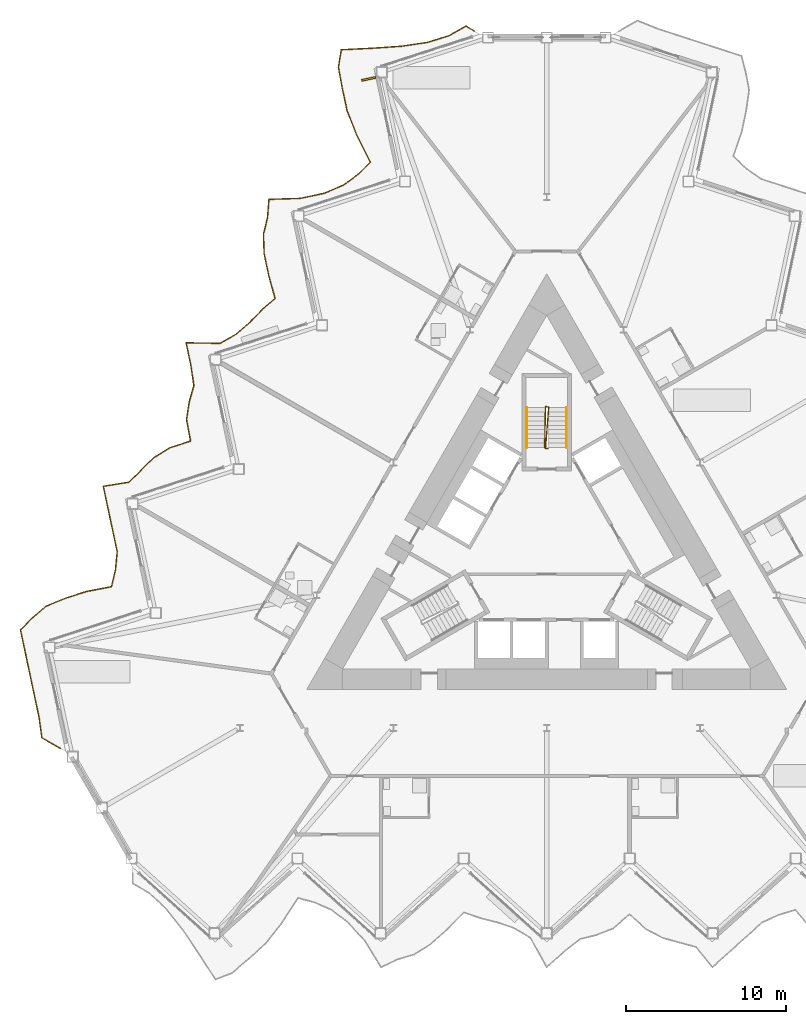
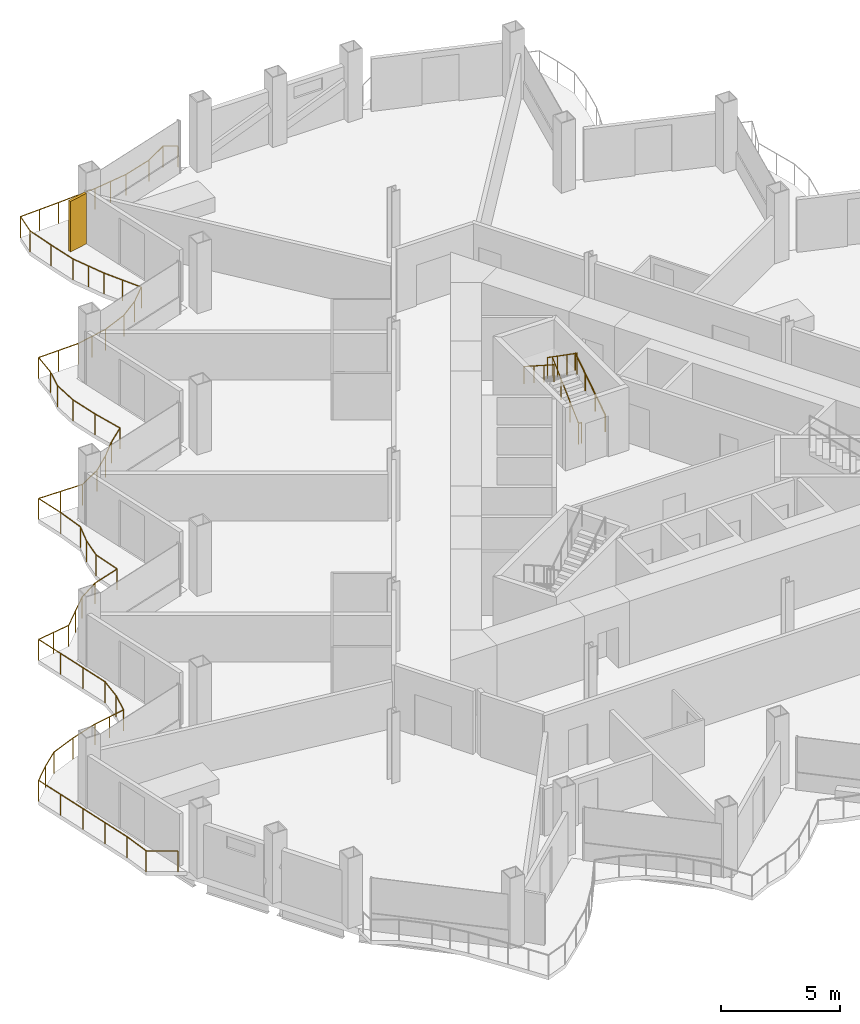
# One storey, part 20 of 23: 4 railings, 1 shading device.
"""IFC4 building model written with IfcOpenShell, lengths in metres."""

import ifcopenshell
import ifcopenshell.guid

model = None  # the IFC model being written
_history = None  # IfcOwnerHistory: only IFC2X3 demands one
_inside = {}  # id of a spatial element -> (the spatial element, [elements in it])
_under = {}  # id of a project, library or spatial element -> (it, [spatial elements below it])
_declared = {}  # id of a project -> (the project, [libraries it declares])
_typed = {}  # id of a type object -> (the type object, [elements of that type])
_made_of = {}  # id of a material, layer set ... -> (it, [elements and type objects made of it])


def new_model(schema):
    """Start an empty IFC model of exactly this schema.

    Asked for "IFC4X3", IfcOpenShell would pick the latest addendum, in which some entities
    have other attributes; the version numbers below select the first issue.
    IFC2X3 requires an IfcOwnerHistory on every rooted entity: one is made here for all.
    """
    global model, _history
    if schema == "IFC4X3":
        model = ifcopenshell.file(schema_version=(4, 3, 0, 0))
    else:
        model = ifcopenshell.file(schema=schema)
    _inside.clear()
    _under.clear()
    _declared.clear()
    _typed.clear()
    _made_of.clear()
    _history = None
    if model.schema == "IFC2X3":
        org = make("IfcOrganization", Name="unknown")
        user = make(
            "IfcPersonAndOrganization",
            ThePerson=make("IfcPerson", FamilyName="unknown"),
            TheOrganization=org,
        )
        app = make(
            "IfcApplication",
            ApplicationDeveloper=org,
            Version="unknown",
            ApplicationFullName="unknown",
            ApplicationIdentifier="unknown",
        )
        _history = make(
            "IfcOwnerHistory",
            OwningUser=user,
            OwningApplication=app,
            ChangeAction="ADDED",
            CreationDate=0,
        )
    return model


def make(cls, **values):
    """One entity of the class cls with the attributes given. An attribute that is None is left unset."""
    return model.create_entity(
        cls, **{name: value for name, value in values.items() if value is not None}
    )


def rooted(cls, **values):
    """An entity with a GlobalId (a new one), such as an element, a storey or a relation."""
    return make(cls, GlobalId=ifcopenshell.guid.new(), OwnerHistory=_history, **values)


def si_unit(unit_type, name, prefix=None):
    """IfcSIUnit, for example si_unit("LENGTHUNIT", "METRE", prefix="MILLI")."""
    return make("IfcSIUnit", UnitType=unit_type, Prefix=prefix, Name=name)


def assignment(units):
    """IfcUnitAssignment: the units of a project."""
    return None if units is None else make("IfcUnitAssignment", Units=units)


def point(xyz):
    """IfcCartesianPoint."""
    return None if xyz is None else make("IfcCartesianPoint", Coordinates=xyz)


def direction(xyz):
    """IfcDirection."""
    return None if xyz is None else make("IfcDirection", DirectionRatios=xyz)


def frame(location, z_axis=None, x_axis=None):
    """IfcAxis2Placement3D, a coordinate frame: its origin and axes. An axis left out is left unset."""
    return make(
        "IfcAxis2Placement3D",
        Location=point(location),
        Axis=direction(z_axis),
        RefDirection=direction(x_axis),
    )


def frame_2d(location, x_axis=None):
    """IfcAxis2Placement2D, a coordinate frame in the plane: its origin and x axis."""
    return make(
        "IfcAxis2Placement2D", Location=point(location), RefDirection=direction(x_axis)
    )


def origin():
    """The frame at (0, 0, 0) with its axes left unset."""
    return frame((0.0, 0.0, 0.0))


def origin_2d():
    """The frame at (0, 0) in the plane with its x axis left unset."""
    return frame_2d((0.0, 0.0))


def place(relative_to, where):
    """IfcLocalPlacement: puts the frame where relative to a parent placement (None: the world)."""
    return make(
        "IfcLocalPlacement", PlacementRelTo=relative_to, RelativePlacement=where
    )


def context(
    kind, dimensions, precision=None, world=None, true_north=None, identifier=None
):
    """IfcGeometricRepresentationContext, for example the 3D "Model" context."""
    return make(
        "IfcGeometricRepresentationContext",
        ContextIdentifier=identifier,
        ContextType=kind,
        CoordinateSpaceDimension=dimensions,
        Precision=precision,
        WorldCoordinateSystem=world,
        TrueNorth=true_north,
    )


def subcontext(parent, identifier, kind, view, scale=None):
    """IfcGeometricRepresentationSubContext, for example "Body" below "Model"."""
    return make(
        "IfcGeometricRepresentationSubContext",
        ContextIdentifier=identifier,
        ContextType=kind,
        ParentContext=parent,
        TargetScale=scale,
        TargetView=view,
    )


def project(units=None, contexts=None):
    """IfcProject with its units and contexts."""
    return rooted(
        "IfcProject",
        Name="project",
        RepresentationContexts=contexts,
        UnitsInContext=assignment(units),
    )


def spatial(cls, under=None, at=None, **own):
    """A site, building, storey or space (cls), placed at a placement, below another one or the project."""
    s = rooted(cls, ObjectPlacement=at, **own)
    if under is not None:
        _under.setdefault(under.id(), (under, []))[1].append(s)
    return s


def profile(cls, at=None, kind="AREA", **sizes):
    """A parametric profile (cls). Its sizes go by their IFC names, for example OverallWidth=200.0."""
    return make(cls, ProfileType=kind, Position=at, **sizes)


def rectangle(**sizes):
    """IfcRectangleProfileDef."""
    return profile("IfcRectangleProfileDef", **sizes)


def circle(**sizes):
    """IfcCircleProfileDef."""
    return profile("IfcCircleProfileDef", **sizes)


def extrude(swept, where, along, depth):
    """IfcExtrudedAreaSolid: the profile swept, set in the frame where, extruded along a direction by depth."""
    return make(
        "IfcExtrudedAreaSolid",
        SweptArea=swept,
        Position=where,
        ExtrudedDirection=direction(along),
        Depth=depth,
    )


def shape(context_of_items, identifier, shape_type, items):
    """IfcShapeRepresentation: the items that make up one representation, for example the "Body"."""
    return make(
        "IfcShapeRepresentation",
        ContextOfItems=context_of_items,
        RepresentationIdentifier=identifier,
        RepresentationType=shape_type,
        Items=items,
    )


def material(Name=None, Category=None):
    """IfcMaterial."""
    return make("IfcMaterial", Name=Name, Category=Category)


def layer(
    of_material, thickness, ventilated=None, Name=None, Category=None, Priority=None
):
    """IfcMaterialLayer: one layer of a wall or slab, of a material (None: an air gap)."""
    return make(
        "IfcMaterialLayer",
        Material=of_material,
        LayerThickness=thickness,
        IsVentilated=ventilated,
        Name=Name,
        Category=Category,
        Priority=Priority,
    )


def layer_set(layers, Name=None):
    """IfcMaterialLayerSet."""
    return make("IfcMaterialLayerSet", MaterialLayers=layers, LayerSetName=Name)


def made_of(thing, what):
    """Note that an element or type object is made of a material, layer set ...; save() writes the relation."""
    if what is not None:
        _made_of.setdefault(what.id(), (what, []))[1].append(thing)
    return thing


def type_object(cls, material=None, **own):
    """A type object (cls), such as IfcWallType, which elements share."""
    return made_of(rooted(cls, **own), material)


def element(
    cls,
    number,
    at=None,
    inside=None,
    cuts=None,
    type_object=None,
    material=None,
    context=None,
    identifier="Body",
    shape_type=None,
    held_by="IfcProductDefinitionShape",
    body=None,
    shapes=None,
    **own,
):
    """One element of the class cls, such as IfcWall. Its Tag is "e" and its number.

    at: its placement. inside: the storey or other place that contains it. cuts: it is an
    opening in that element (IfcRelVoidsElement). A single representation is given by context,
    identifier, shape_type and body (its items); several are given by shapes. held_by: the class
    of the entity that holds the representations. save() writes the other relations.
    """
    e = rooted(cls, Tag="e%d" % number, ObjectPlacement=at, **own)
    if body is not None:
        shapes = [shape(context, identifier, shape_type, body)]
    if shapes is not None:
        e.Representation = make(held_by, Representations=shapes)
    if inside is not None:
        _inside.setdefault(inside.id(), (inside, []))[1].append(e)
    if cuts is not None:
        rooted(
            "IfcRelVoidsElement", RelatingBuildingElement=cuts, RelatedOpeningElement=e
        )
    if type_object is not None:
        _typed.setdefault(type_object.id(), (type_object, []))[1].append(e)
    return made_of(e, material)


def aggregate(whole, parts):
    """IfcRelAggregates: a whole, such as a stair, and the parts it consists of."""
    return rooted("IfcRelAggregates", RelatingObject=whole, RelatedObjects=parts)


def save(model, path):
    """Write the relations noted so far, then the file.

    IfcRelAggregates (storeys below a building ...), IfcRelContainedInSpatialStructure (elements
    in a storey), IfcRelDefinesByType, IfcRelAssociatesMaterial and IfcRelDeclares: one each for
    every whole, place, type object, material and project.
    """
    for whole, parts in _under.values():
        aggregate(whole, parts)
    for where, things in _inside.values():
        rooted(
            "IfcRelContainedInSpatialStructure",
            RelatedElements=things,
            RelatingStructure=where,
        )
    for kind, things in _typed.values():
        rooted("IfcRelDefinesByType", RelatedObjects=things, RelatingType=kind)
    for what, things in _made_of.values():
        rooted("IfcRelAssociatesMaterial", RelatedObjects=things, RelatingMaterial=what)
    for by, libraries in _declared.values():
        rooted("IfcRelDeclares", RelatingContext=by, RelatedDefinitions=libraries)
    model.write(path)


model = new_model("IFC4")

# Units and contexts
model_context = context("Model", 3, precision=1e-05, world=origin(), true_north=direction((0.0, 1.0)))
body_context = subcontext(model_context, "Body", "Model", "MODEL_VIEW")
ifc_project = project(units=[si_unit("LENGTHUNIT", "METRE"), si_unit("AREAUNIT", "SQUARE_METRE"), si_unit("VOLUMEUNIT", "CUBIC_METRE"), si_unit("PLANEANGLEUNIT", "RADIAN"), si_unit("MASSUNIT", "GRAM", prefix="KILO")], contexts=[model_context])

# Site, building, storey
site_placement = place(None, origin())
site = spatial("IfcSite", under=ifc_project, at=site_placement, CompositionType="ELEMENT")
building_placement = place(site_placement, origin())
building = spatial("IfcBuilding", under=site, at=building_placement, Name="Cormorant Prow Tower", CompositionType="ELEMENT")
storey_placement = place(building_placement, frame((0.0, 0.0, 249.0)))
storey = spatial("IfcBuildingStorey", under=building, at=storey_placement, Name="L55", CompositionType="ELEMENT", Elevation=249.0)

# Railings
ifc_material_1 = material(Name="Aluminium 6063-T6", Category="aluminium")
railing_type_1 = type_object("IfcRailingType", Name="Balcony guard 1100", PredefinedType="GUARDRAIL", material=ifc_material_1)
railing_1_placement = place(storey_placement, frame((-4.5009765625, 32.480712890625, 0.0)))
element("IfcRailing", 1, at=railing_1_placement, inside=storey, type_object=railing_type_1, Name="Balcony guard WNW", PredefinedType="GUARDRAIL", context=body_context, shape_type="SweptSolid", body=[
    extrude(circle(Radius=0.02392578125, at=origin_2d()), frame((0.0, 0.0, 1.076171875), z_axis=(-0.866108878364, 0.499855389907, 0.0), x_axis=(-0.499855389907, -0.866108878364, 0.0)), (0.0, 0.0, 1.0), 0.635986328125),
    extrude(circle(Radius=0.02392578125, at=origin_2d()), frame((-0.55078125, 0.31787109375, 1.076171875), z_axis=(-0.86738841602, -0.497631727037, 0.0), x_axis=(0.497631727037, -0.86738841602, 0.0)), (0.0, 0.0, 1.0), 1.197021484375),
    extrude(circle(Radius=0.02392578125, at=origin_2d()), frame((-1.589111328125, -0.27783203125, 1.076171875), z_axis=(-0.954818537326, -0.297189435846, 0.0), x_axis=(0.297189435846, -0.954818537326, 0.0)), (0.0, 0.0, 1.0), 1.408935546875),
    extrude(circle(Radius=0.02392578125, at=origin_2d()), frame((-2.934326171875, -0.696533203125, 1.076171875), z_axis=(-0.989117445671, -0.147128102923, 0.0), x_axis=(0.147128102923, -0.989117445671, 0.0)), (0.0, 0.0, 1.0), 1.664306640625),
    extrude(circle(Radius=0.02392578125, at=origin_2d()), frame((-4.58056640625, -0.94140625, 1.076171875), z_axis=(-0.99773369058, -0.067286571335, 0.0), x_axis=(0.067286571335, -0.99773369058, 0.0)), (0.0, 0.0, 1.0), 1.857666015625),
    extrude(circle(Radius=0.02392578125, at=origin_2d()), frame((-6.43408203125, -1.06640625, 1.076171875), z_axis=(-0.998767603563, -0.049631381939, 0.0), x_axis=(0.049631381939, -0.998767603563, 0.0)), (0.0, 0.0, 1.0), 1.90869140625),
    extrude(circle(Radius=0.02392578125, at=origin_2d()), frame((-8.34033203125, -1.1611328125, 1.076171875), z_axis=(-0.157964723351, -0.987444756012, 0.0), x_axis=(0.987444756012, -0.157964723351, 0.0)), (0.0, 0.0, 1.0), 1.108154296875),
    extrude(circle(Radius=0.02392578125, at=origin_2d()), frame((-8.515380859375, -2.25537109375, 1.076171875), z_axis=(0.180513225009, -0.983572557363, 0.0), x_axis=(0.983572557363, 0.180513225009, 0.0)), (0.0, 0.0, 1.0), 1.359130859375),
    extrude(circle(Radius=0.02392578125, at=origin_2d()), frame((-8.27001953125, -3.59228515625, 1.076171875), z_axis=(0.207865044312, -0.978157514592, 0.0), x_axis=(0.978157514592, 0.207865044312, 0.0)), (0.0, 0.0, 1.0), 1.39306640625),
    extrude(circle(Radius=0.02392578125, at=origin_2d()), frame((-7.98046875, -4.954833984375, 1.076171875), z_axis=(0.366882507914, -0.930267287067, 0.0), x_axis=(0.930267287067, 0.366882507914, 0.0)), (0.0, 0.0, 1.0), 1.66357421875),
    extrude(circle(Radius=0.02392578125, at=origin_2d()), frame((-7.3701171875, -6.50244140625, 1.076171875), z_axis=(0.449490009942, -0.893285358081, 0.0), x_axis=(0.893285358081, 0.449490009942, 0.0)), (0.0, 0.0, 1.0), 1.886474609375),
    extrude(circle(Radius=0.02392578125, at=origin_2d()), frame((-6.522216796875, -8.1875, 1.076171875), z_axis=(-0.706878866045, -0.70733462289, 0.0), x_axis=(0.70733462289, -0.706878866045, 0.0)), (0.0, 0.0, 1.0), 1.0712890625),
    extrude(circle(Radius=0.02392578125, at=origin_2d()), frame((-7.279541015625, -8.9453125, 1.076171875), z_axis=(-0.807671584794, -0.589632606897, 0.0), x_axis=(0.589632606897, -0.807671584794, 0.0)), (0.0, 0.0, 1.0), 1.132080078125),
    extrude(circle(Radius=0.02392578125, at=origin_2d()), frame((-8.19384765625, -9.61279296875, 1.076171875), z_axis=(-0.919865271319, -0.392234474035, 0.0), x_axis=(0.392234474035, -0.919865271319, 0.0)), (0.0, 0.0, 1.0), 1.294677734375),
    extrude(circle(Radius=0.02392578125, at=origin_2d()), frame((-9.384765625, -10.12060546875, 1.076171875), z_axis=(-0.977448644327, -0.21117326465, 0.0), x_axis=(0.21117326465, -0.977448644327, 0.0)), (0.0, 0.0, 1.0), 1.541015625),
    extrude(circle(Radius=0.02392578125, at=origin_2d()), frame((-10.89111328125, -10.446044921875, 1.076171875), z_axis=(-0.999521721228, -0.030924566176, 0.0), x_axis=(0.030924566176, -0.999521721228, 0.0)), (0.0, 0.0, 1.0), 1.9658203125),
    extrude(circle(Radius=0.02392578125, at=origin_2d()), frame((-12.85595703125, -10.5068359375, 1.076171875), z_axis=(-0.080100838595, -0.99678676539, 0.0), x_axis=(0.99678676539, -0.080100838595, 0.0)), (0.0, 0.0, 1.0), 1.14599609375),
    extrude(circle(Radius=0.02392578125, at=origin_2d()), frame((-12.94775390625, -11.649169921875, 1.076171875), z_axis=(-0.233586756065, -0.972335964259, 0.0), x_axis=(0.972335964259, -0.233586756065, 0.0)), (0.0, 0.0, 1.0), 1.07958984375),
    extrude(circle(Radius=0.02392578125, at=origin_2d()), frame((-13.199951171875, -12.698974609375, 1.076171875), z_axis=(0.035784228356, -0.999359539406, 0.0), x_axis=(0.999359539406, 0.035784228356, 0.0)), (0.0, 0.0, 1.0), 1.22119140625),
    extrude(circle(Radius=0.02392578125, at=origin_2d()), frame((-13.15625, -13.91943359375, 1.076171875), z_axis=(0.207900686127, -0.978149939788, 0.0), x_axis=(0.978149939788, 0.207900686127, 0.0)), (0.0, 0.0, 1.0), 1.392822265625),
    extrude(circle(Radius=0.02392578125, at=origin_2d()), frame((-12.86669921875, -15.28173828125, 1.076171875), z_axis=(0.265833522599, -0.964018951195, 0.0), x_axis=(0.964018951195, 0.265833522599, 0.0)), (0.0, 0.0, 1.0), 1.474853515625),
    extrude(circle(Radius=0.02392578125, at=origin_2d()), frame((-12.474609375, -16.70361328125, 1.076171875), z_axis=(-0.758202804025, -0.652018794184, 0.0), x_axis=(0.652018794184, -0.758202804025, 0.0)), (0.0, 0.0, 1.0), 1.0966796875),
    extrude(circle(Radius=0.02392578125, at=origin_2d()), frame((-13.30615234375, -17.418701171875, 1.076171875), z_axis=(-0.693936407602, -0.720036292283, 0.0), x_axis=(0.720036292283, -0.693936407602, 0.0)), (0.0, 0.0, 1.0), 1.06640625),
    extrude(circle(Radius=0.02392578125, at=origin_2d()), frame((-14.046142578125, -18.1865234375, 1.076171875), z_axis=(-0.750079137531, -0.661348083419, 0.0), x_axis=(0.661348083419, -0.750079137531, 0.0)), (0.0, 0.0, 1.0), 1.09228515625),
    extrude(circle(Radius=0.02392578125, at=origin_2d()), frame((-14.865478515625, -18.908935546875, 1.076171875), z_axis=(-0.870373533206, -0.49239203151, 0.0), x_axis=(0.49239203151, -0.870373533206, 0.0)), (0.0, 0.0, 1.0), 1.201416015625),
    extrude(circle(Radius=0.02392578125, at=origin_2d()), frame((-15.9111328125, -19.50048828125, 1.076171875), z_axis=(-0.99990616537, 0.013698921676, 0.0), x_axis=(-0.013698921676, -0.99990616537, 0.0)), (0.0, 0.0, 1.0), 2.120849609375),
    extrude(circle(Radius=0.02392578125, at=origin_2d()), frame((-18.03173828125, -19.471435546875, 1.076171875), z_axis=(0.208032727926, -0.978121865675, 0.0), x_axis=(0.978121865675, 0.208032727926, 0.0)), (0.0, 0.0, 1.0), 1.39306640625),
    extrude(circle(Radius=0.02392578125, at=origin_2d()), frame((-17.741943359375, -20.833984375, 1.076171875), z_axis=(0.147672462965, -0.989036320709, 0.0), x_axis=(0.989036320709, 0.147672462965, 0.0)), (0.0, 0.0, 1.0), 1.322509765625),
    extrude(circle(Radius=0.02392578125, at=origin_2d()), frame((-17.546630859375, -22.14208984375, 1.076171875), z_axis=(-0.272546130681, -0.962142716363, 0.0), x_axis=(0.962142716363, -0.272546130681, 0.0)), (0.0, 0.0, 1.0), 1.06787109375),
    extrude(circle(Radius=0.02392578125, at=origin_2d()), frame((-17.837646484375, -23.16943359375, 1.076171875), z_axis=(-0.152833795093, -0.98825190669, 0.0), x_axis=(0.98825190669, -0.152833795093, 0.0)), (0.0, 0.0, 1.0), 1.110107421875),
    extrude(circle(Radius=0.02392578125, at=origin_2d()), frame((-18.00732421875, -24.2666015625, 1.076171875), z_axis=(0.186381235176, -0.982477498559, 0.0), x_axis=(0.982477498559, 0.186381235176, 0.0)), (0.0, 0.0, 1.0), 1.3662109375),
    extrude(circle(Radius=0.02392578125, at=origin_2d()), frame((-17.752685546875, -25.60888671875, 1.076171875), z_axis=(-0.951073984581, -0.308963227348, 0.0), x_axis=(0.308963227348, -0.951073984581, 0.0)), (0.0, 0.0, 1.0), 1.39306640625),
    extrude(circle(Radius=0.02392578125, at=origin_2d()), frame((-19.07763671875, -26.039306640625, 1.076171875), z_axis=(-0.846365198588, -0.532602995316, 0.0), x_axis=(0.532602995316, -0.846365198588, 0.0)), (0.0, 0.0, 1.0), 1.170166015625),
    extrude(circle(Radius=0.02392578125, at=origin_2d()), frame((-20.068115234375, -26.66259765625, 1.076171875), z_axis=(-0.711527130942, -0.702658624037, 0.0), x_axis=(0.702658624037, -0.711527130942, 0.0)), (0.0, 0.0, 1.0), 1.07373046875),
    extrude(circle(Radius=0.02392578125, at=origin_2d()), frame((-20.83203125, -27.4169921875, 1.076171875), z_axis=(-0.708471848371, -0.705739073642, 0.0), x_axis=(0.705739073642, -0.708471848371, 0.0)), (0.0, 0.0, 1.0), 1.072021484375),
    extrude(circle(Radius=0.02392578125, at=origin_2d()), frame((-21.591552734375, -28.173583984375, 1.076171875), z_axis=(-0.987062768238, -0.160334311855, 0.0), x_axis=(0.160334311855, -0.987062768238, 0.0)), (0.0, 0.0, 1.0), 1.636962890625),
    extrude(circle(Radius=0.02392578125, at=origin_2d()), frame((-23.207275390625, -28.43603515625, 1.076171875), z_axis=(0.207865044312, -0.978157514592, 0.0), x_axis=(0.978157514592, 0.207865044312, 0.0)), (0.0, 0.0, 1.0), 1.39306640625),
    extrude(circle(Radius=0.02392578125, at=origin_2d()), frame((-22.917724609375, -29.798583984375, 1.076171875), z_axis=(0.207865044312, -0.978157514592, 0.0), x_axis=(0.978157514592, 0.207865044312, 0.0)), (0.0, 0.0, 1.0), 1.39306640625),
    extrude(circle(Radius=0.02392578125, at=origin_2d()), frame((-22.628173828125, -31.1611328125, 1.076171875), z_axis=(0.207900686127, -0.978149939788, 0.0), x_axis=(0.978149939788, 0.207900686127, 0.0)), (0.0, 0.0, 1.0), 1.392822265625),
    extrude(circle(Radius=0.02392578125, at=origin_2d()), frame((-22.338623046875, -32.5234375, 1.076171875), z_axis=(-0.094363770965, -0.995537783677, 0.0), x_axis=(0.995537783677, -0.094363770965, 0.0)), (0.0, 0.0, 1.0), 1.138427734375),
    extrude(circle(Radius=0.02392578125, at=origin_2d()), frame((-22.446044921875, -33.65673828125, 1.076171875), z_axis=(-0.230235545509, -0.973134930821, 0.0), x_axis=(0.973134930821, -0.230235545509, 0.0)), (0.0, 0.0, 1.0), 1.08056640625),
    extrude(circle(Radius=0.02392578125, at=origin_2d()), frame((-22.69482421875, -34.708251953125, 1.076171875), z_axis=(-0.982474376415, -0.186397692282, 0.0), x_axis=(0.186397692282, -0.982474376415, 0.0)), (0.0, 0.0, 1.0), 1.586181640625),
    extrude(circle(Radius=0.02392578125, at=origin_2d()), frame((-24.253173828125, -35.00390625, 1.076171875), z_axis=(-0.951057251471, -0.309014731726, 0.0), x_axis=(0.309014731726, -0.951057251471, 0.0)), (0.0, 0.0, 1.0), 1.392822265625),
    extrude(circle(Radius=0.02392578125, at=origin_2d()), frame((-25.577880859375, -35.434326171875, 1.076171875), z_axis=(-0.925502392525, -0.378741760874, 0.0), x_axis=(0.378741760874, -0.925502392525, 0.0)), (0.0, 0.0, 1.0), 1.30908203125),
    extrude(circle(Radius=0.02392578125, at=origin_2d()), frame((-26.78955078125, -35.93017578125, 1.076171875), z_axis=(-0.755387384612, -0.65527848978, 0.0), x_axis=(0.65527848978, -0.755387384612, 0.0)), (0.0, 0.0, 1.0), 1.094970703125),
    extrude(circle(Radius=0.02392578125, at=origin_2d()), frame((-27.61669921875, -36.647705078125, 1.076171875), z_axis=(-0.713328459137, -0.700829871927, 0.0), x_axis=(0.700829871927, -0.713328459137, 0.0)), (0.0, 0.0, 1.0), 1.07421875),
    extrude(circle(Radius=0.02392578125, at=origin_2d()), frame((-28.383056640625, -37.400634765625, 1.076171875), z_axis=(0.207865044312, -0.978157514592, 0.0), x_axis=(0.978157514592, 0.207865044312, 0.0)), (0.0, 0.0, 1.0), 1.39306640625),
    extrude(circle(Radius=0.02392578125, at=origin_2d()), frame((-28.093505859375, -38.76318359375, 1.076171875), z_axis=(0.208032727926, -0.978121865675, 0.0), x_axis=(0.978121865675, 0.208032727926, 0.0)), (0.0, 0.0, 1.0), 1.39306640625),
    extrude(circle(Radius=0.02392578125, at=origin_2d()), frame((-27.8037109375, -40.125732421875, 1.076171875), z_axis=(0.207900686127, -0.978149939788, 0.0), x_axis=(0.978149939788, 0.207900686127, 0.0)), (0.0, 0.0, 1.0), 1.392822265625),
    extrude(circle(Radius=0.02392578125, at=origin_2d()), frame((-27.51416015625, -41.488037109375, 1.076171875), z_axis=(0.207865044312, -0.978157514592, 0.0), x_axis=(0.978157514592, 0.207865044312, 0.0)), (0.0, 0.0, 1.0), 1.39306640625),
    extrude(circle(Radius=0.02392578125, at=origin_2d()), frame((-27.224609375, -42.8505859375, 1.076171875), z_axis=(0.137015359398, -0.990568923038, 0.0), x_axis=(0.990568923038, 0.137015359398, 0.0)), (0.0, 0.0, 1.0), 1.3115234375),
    extrude(circle(Radius=0.02392578125, at=origin_2d()), frame((-27.044921875, -44.149658203125, 1.076171875), z_axis=(0.86607089125, -0.499921205121, 0.0), x_axis=(0.499921205121, 0.86607089125, 0.0)), (0.0, 0.0, 1.0), 1.346923828125),
    extrude(circle(Radius=0.02099609375, at=origin_2d()), origin(), (0.0, 0.0, 1.0), 1.052001953125),
    extrude(circle(Radius=0.02099609375, at=origin_2d()), frame((-0.55078125, 0.31787109375, 0.0)), (0.0, 0.0, 1.0), 1.052001953125),
    extrude(circle(Radius=0.02099609375, at=origin_2d()), frame((-1.589111328125, -0.27783203125, 0.0)), (0.0, 0.0, 1.0), 1.052001953125),
    extrude(circle(Radius=0.02099609375, at=origin_2d()), frame((-2.934326171875, -0.696533203125, 0.0)), (0.0, 0.0, 1.0), 1.052001953125),
    extrude(circle(Radius=0.02099609375, at=origin_2d()), frame((-3.75732421875, -0.81884765625, 0.0)), (0.0, 0.0, 1.0), 1.052001953125),
    extrude(circle(Radius=0.02099609375, at=origin_2d()), frame((-4.58056640625, -0.94140625, 0.0)), (0.0, 0.0, 1.0), 1.052001953125),
    extrude(circle(Radius=0.02099609375, at=origin_2d()), frame((-5.50732421875, -1.00390625, 0.0)), (0.0, 0.0, 1.0), 1.052001953125),
    extrude(circle(Radius=0.02099609375, at=origin_2d()), frame((-6.43408203125, -1.06640625, 0.0)), (0.0, 0.0, 1.0), 1.052001953125),
    extrude(circle(Radius=0.02099609375, at=origin_2d()), frame((-7.38720703125, -1.11376953125, 0.0)), (0.0, 0.0, 1.0), 1.052001953125),
    extrude(circle(Radius=0.02099609375, at=origin_2d()), frame((-8.34033203125, -1.1611328125, 0.0)), (0.0, 0.0, 1.0), 1.052001953125),
    extrude(circle(Radius=0.02099609375, at=origin_2d()), frame((-8.515380859375, -2.25537109375, 0.0)), (0.0, 0.0, 1.0), 1.052001953125),
    extrude(circle(Radius=0.02099609375, at=origin_2d()), frame((-8.27001953125, -3.59228515625, 0.0)), (0.0, 0.0, 1.0), 1.052001953125),
    extrude(circle(Radius=0.02099609375, at=origin_2d()), frame((-7.98046875, -4.954833984375, 0.0)), (0.0, 0.0, 1.0), 1.052001953125),
    extrude(circle(Radius=0.02099609375, at=origin_2d()), frame((-7.67529296875, -5.728515625, 0.0)), (0.0, 0.0, 1.0), 1.052001953125),
    extrude(circle(Radius=0.02099609375, at=origin_2d()), frame((-7.3701171875, -6.50244140625, 0.0)), (0.0, 0.0, 1.0), 1.052001953125),
    extrude(circle(Radius=0.02099609375, at=origin_2d()), frame((-6.9462890625, -7.344970703125, 0.0)), (0.0, 0.0, 1.0), 1.052001953125),
    extrude(circle(Radius=0.02099609375, at=origin_2d()), frame((-6.522216796875, -8.1875, 0.0)), (0.0, 0.0, 1.0), 1.052001953125),
    extrude(circle(Radius=0.02099609375, at=origin_2d()), frame((-7.279541015625, -8.9453125, 0.0)), (0.0, 0.0, 1.0), 1.052001953125),
    extrude(circle(Radius=0.02099609375, at=origin_2d()), frame((-8.19384765625, -9.61279296875, 0.0)), (0.0, 0.0, 1.0), 1.052001953125),
    extrude(circle(Radius=0.02099609375, at=origin_2d()), frame((-9.384765625, -10.12060546875, 0.0)), (0.0, 0.0, 1.0), 1.052001953125),
    extrude(circle(Radius=0.02099609375, at=origin_2d()), frame((-10.137939453125, -10.283203125, 0.0)), (0.0, 0.0, 1.0), 1.052001953125),
    extrude(circle(Radius=0.02099609375, at=origin_2d()), frame((-10.89111328125, -10.446044921875, 0.0)), (0.0, 0.0, 1.0), 1.052001953125),
    extrude(circle(Radius=0.02099609375, at=origin_2d()), frame((-11.87353515625, -10.4765625, 0.0)), (0.0, 0.0, 1.0), 1.052001953125),
    extrude(circle(Radius=0.02099609375, at=origin_2d()), frame((-12.85595703125, -10.5068359375, 0.0)), (0.0, 0.0, 1.0), 1.052001953125),
    extrude(circle(Radius=0.02099609375, at=origin_2d()), frame((-12.94775390625, -11.649169921875, 0.0)), (0.0, 0.0, 1.0), 1.052001953125),
    extrude(circle(Radius=0.02099609375, at=origin_2d()), frame((-13.199951171875, -12.698974609375, 0.0)), (0.0, 0.0, 1.0), 1.052001953125),
    extrude(circle(Radius=0.02099609375, at=origin_2d()), frame((-13.15625, -13.91943359375, 0.0)), (0.0, 0.0, 1.0), 1.052001953125),
    extrude(circle(Radius=0.02099609375, at=origin_2d()), frame((-12.86669921875, -15.28173828125, 0.0)), (0.0, 0.0, 1.0), 1.052001953125),
    extrude(circle(Radius=0.02099609375, at=origin_2d()), frame((-12.474609375, -16.70361328125, 0.0)), (0.0, 0.0, 1.0), 1.052001953125),
    extrude(circle(Radius=0.02099609375, at=origin_2d()), frame((-13.30615234375, -17.418701171875, 0.0)), (0.0, 0.0, 1.0), 1.052001953125),
    extrude(circle(Radius=0.02099609375, at=origin_2d()), frame((-14.046142578125, -18.1865234375, 0.0)), (0.0, 0.0, 1.0), 1.052001953125),
    extrude(circle(Radius=0.02099609375, at=origin_2d()), frame((-14.865478515625, -18.908935546875, 0.0)), (0.0, 0.0, 1.0), 1.052001953125),
    extrude(circle(Radius=0.02099609375, at=origin_2d()), frame((-15.9111328125, -19.50048828125, 0.0)), (0.0, 0.0, 1.0), 1.052001953125),
    extrude(circle(Radius=0.02099609375, at=origin_2d()), frame((-16.971435546875, -19.48583984375, 0.0)), (0.0, 0.0, 1.0), 1.052001953125),
    extrude(circle(Radius=0.02099609375, at=origin_2d()), frame((-18.03173828125, -19.471435546875, 0.0)), (0.0, 0.0, 1.0), 1.052001953125),
    extrude(circle(Radius=0.02099609375, at=origin_2d()), frame((-17.741943359375, -20.833984375, 0.0)), (0.0, 0.0, 1.0), 1.052001953125),
    extrude(circle(Radius=0.02099609375, at=origin_2d()), frame((-17.546630859375, -22.14208984375, 0.0)), (0.0, 0.0, 1.0), 1.052001953125),
    extrude(circle(Radius=0.02099609375, at=origin_2d()), frame((-17.837646484375, -23.16943359375, 0.0)), (0.0, 0.0, 1.0), 1.052001953125),
    extrude(circle(Radius=0.02099609375, at=origin_2d()), frame((-18.00732421875, -24.2666015625, 0.0)), (0.0, 0.0, 1.0), 1.052001953125),
    extrude(circle(Radius=0.02099609375, at=origin_2d()), frame((-17.752685546875, -25.60888671875, 0.0)), (0.0, 0.0, 1.0), 1.052001953125),
    extrude(circle(Radius=0.02099609375, at=origin_2d()), frame((-19.07763671875, -26.039306640625, 0.0)), (0.0, 0.0, 1.0), 1.052001953125),
    extrude(circle(Radius=0.02099609375, at=origin_2d()), frame((-20.068115234375, -26.66259765625, 0.0)), (0.0, 0.0, 1.0), 1.052001953125),
    extrude(circle(Radius=0.02099609375, at=origin_2d()), frame((-20.83203125, -27.4169921875, 0.0)), (0.0, 0.0, 1.0), 1.052001953125),
    extrude(circle(Radius=0.02099609375, at=origin_2d()), frame((-21.591552734375, -28.173583984375, 0.0)), (0.0, 0.0, 1.0), 1.052001953125),
    extrude(circle(Radius=0.02099609375, at=origin_2d()), frame((-22.3994140625, -28.3046875, 0.0)), (0.0, 0.0, 1.0), 1.052001953125),
    extrude(circle(Radius=0.02099609375, at=origin_2d()), frame((-23.207275390625, -28.43603515625, 0.0)), (0.0, 0.0, 1.0), 1.052001953125),
    extrude(circle(Radius=0.02099609375, at=origin_2d()), frame((-22.917724609375, -29.798583984375, 0.0)), (0.0, 0.0, 1.0), 1.052001953125),
    extrude(circle(Radius=0.02099609375, at=origin_2d()), frame((-22.628173828125, -31.1611328125, 0.0)), (0.0, 0.0, 1.0), 1.052001953125),
    extrude(circle(Radius=0.02099609375, at=origin_2d()), frame((-22.338623046875, -32.5234375, 0.0)), (0.0, 0.0, 1.0), 1.052001953125),
    extrude(circle(Radius=0.02099609375, at=origin_2d()), frame((-22.446044921875, -33.65673828125, 0.0)), (0.0, 0.0, 1.0), 1.052001953125),
    extrude(circle(Radius=0.02099609375, at=origin_2d()), frame((-22.69482421875, -34.708251953125, 0.0)), (0.0, 0.0, 1.0), 1.052001953125),
    extrude(circle(Radius=0.02099609375, at=origin_2d()), frame((-23.47412109375, -34.85595703125, 0.0)), (0.0, 0.0, 1.0), 1.052001953125),
    extrude(circle(Radius=0.02099609375, at=origin_2d()), frame((-24.253173828125, -35.00390625, 0.0)), (0.0, 0.0, 1.0), 1.052001953125),
    extrude(circle(Radius=0.02099609375, at=origin_2d()), frame((-25.577880859375, -35.434326171875, 0.0)), (0.0, 0.0, 1.0), 1.052001953125),
    extrude(circle(Radius=0.02099609375, at=origin_2d()), frame((-26.78955078125, -35.93017578125, 0.0)), (0.0, 0.0, 1.0), 1.052001953125),
    extrude(circle(Radius=0.02099609375, at=origin_2d()), frame((-27.61669921875, -36.647705078125, 0.0)), (0.0, 0.0, 1.0), 1.052001953125),
    extrude(circle(Radius=0.02099609375, at=origin_2d()), frame((-28.383056640625, -37.400634765625, 0.0)), (0.0, 0.0, 1.0), 1.052001953125),
    extrude(circle(Radius=0.02099609375, at=origin_2d()), frame((-28.093505859375, -38.76318359375, 0.0)), (0.0, 0.0, 1.0), 1.052001953125),
    extrude(circle(Radius=0.02099609375, at=origin_2d()), frame((-27.8037109375, -40.125732421875, 0.0)), (0.0, 0.0, 1.0), 1.052001953125),
    extrude(circle(Radius=0.02099609375, at=origin_2d()), frame((-27.51416015625, -41.488037109375, 0.0)), (0.0, 0.0, 1.0), 1.052001953125),
    extrude(circle(Radius=0.02099609375, at=origin_2d()), frame((-27.224609375, -42.8505859375, 0.0)), (0.0, 0.0, 1.0), 1.052001953125),
    extrude(circle(Radius=0.02099609375, at=origin_2d()), frame((-27.044921875, -44.149658203125, 0.0)), (0.0, 0.0, 1.0), 1.052001953125),
    extrude(circle(Radius=0.02099609375, at=origin_2d()), frame((-25.87841796875, -44.822998046875, 0.0)), (0.0, 0.0, 1.0), 1.052001953125),
])
ifc_material_2 = material(Name="Stainless steel", Category="steel")
railing_type_2 = type_object("IfcRailingType", Name="Stair guard 1100", PredefinedType="GUARDRAIL", material=ifc_material_2)
railing_2_placement = place(storey_placement, frame((0.074951171875, 6.40576171875, 0.0)))
element("IfcRailing", 2, at=railing_2_placement, inside=storey, type_object=railing_type_2, Name="L55 ST3 stair guard 1", PredefinedType="GUARDRAIL", context=body_context, shape_type="SweptSolid", body=[
    extrude(circle(Radius=0.02392578125, at=origin_2d()), frame((0.0, 0.0, 1.076171875), z_axis=(-1.0, 0.0, 0.0), x_axis=(0.0, -1.0, 0.0)), (0.0, 0.0, 1.0), 0.14990234375),
    extrude(circle(Radius=0.02392578125, at=origin_2d()), frame((-0.14990234375, 0.0, 1.076171875), z_axis=(0.063595540489, 0.817423998443, 0.572515164864), x_axis=(-0.996987254287, 0.077565551559, 0.0)), (0.0, 0.0, 1.0), 3.14404296875),
    extrude(circle(Radius=0.02392578125, at=origin_2d()), frame((0.050048828125, 2.570068359375, 2.8759765625), z_axis=(-0.970072785993, 0.242814311512, 0.0), x_axis=(-0.242814311512, -0.970072785993, 0.0)), (0.0, 0.0, 1.0), 0.2060546875),
    extrude(circle(Radius=0.02392578125, at=origin_2d()), frame((-0.14990234375, 2.6201171875, 2.8759765625), z_axis=(-0.01594855688, -0.818977845239, 0.573603462805), x_axis=(0.999810440751, -0.019470042781, 0.0)), (0.0, 0.0, 1.0), 3.13818359375),
    extrude(circle(Radius=0.02099609375, at=origin_2d()), origin(), (0.0, 0.0, 1.0), 1.052001953125),
    extrude(circle(Radius=0.02099609375, at=origin_2d()), frame((-0.14990234375, 0.0, 0.0)), (0.0, 0.0, 1.0), 1.052001953125),
    extrude(circle(Radius=0.02099609375, at=origin_2d()), frame((-0.083251953125, 0.856689453125, 0.60009765625)), (0.0, 0.0, 1.0), 1.052001953125),
    extrude(circle(Radius=0.02099609375, at=origin_2d()), frame((-0.0166015625, 1.71337890625, 1.199951171875)), (0.0, 0.0, 1.0), 1.052001953125),
    extrude(circle(Radius=0.02099609375, at=origin_2d()), frame((0.050048828125, 2.570068359375, 1.800048828125)), (0.0, 0.0, 1.0), 1.052001953125),
    extrude(circle(Radius=0.02099609375, at=origin_2d()), frame((-0.14990234375, 2.6201171875, 1.800048828125)), (0.0, 0.0, 1.0), 1.052001953125),
    extrude(circle(Radius=0.02099609375, at=origin_2d()), frame((-0.16650390625, 1.763427734375, 2.400146484375)), (0.0, 0.0, 1.0), 1.052001953125),
    extrude(circle(Radius=0.02099609375, at=origin_2d()), frame((-0.183349609375, 0.90673828125, 3.0)), (0.0, 0.0, 1.0), 1.052001953125),
    extrude(circle(Radius=0.02099609375, at=origin_2d()), frame((-0.199951171875, 0.050048828125, 3.60009765625)), (0.0, 0.0, 1.0), 1.052001953125),
])
ifc_material_3 = material(Name="Stainless steel", Category="steel")
railing_type_3 = type_object("IfcRailingType", Name="Stair handrail 900", PredefinedType="HANDRAIL", material=ifc_material_3)
railing_3_placement = place(storey_placement, frame((1.243896484375, 6.455810546875, 0.179931640625)))
element("IfcRailing", 3, at=railing_3_placement, inside=storey, type_object=railing_type_3, Name="L55 ST3 stair handrail 1", PredefinedType="HANDRAIL", context=body_context, shape_type="SweptSolid", body=[
    extrude(circle(Radius=0.02392578125, at=origin_2d()), frame((0.0, 0.0, 0.8759765625), z_axis=(0.0, 0.841162588446, 0.540782303519), x_axis=(-1.0, 0.0, 0.0)), (0.0, 0.0, 1.0), 2.995849609375),
    extrude(circle(Radius=0.02099609375, at=origin_2d()), origin(), (0.0, 0.0, 1.0), 0.851806640625),
    extrude(circle(Radius=0.02099609375, at=origin_2d()), frame((0.0, 0.840087890625, 0.5400390625)), (0.0, 0.0, 1.0), 0.851806640625),
    extrude(circle(Radius=0.02099609375, at=origin_2d()), frame((0.0, 1.679931640625, 1.080078125)), (0.0, 0.0, 1.0), 0.851806640625),
    extrude(circle(Radius=0.02099609375, at=origin_2d()), frame((0.0, 2.52001953125, 1.6201171875)), (0.0, 0.0, 1.0), 0.851806640625),
])
railing_4_placement = place(storey_placement, frame((-1.243896484375, 8.975830078125, 1.97998046875)))
element("IfcRailing", 4, at=railing_4_placement, inside=storey, type_object=railing_type_3, Name="L55 ST3 stair handrail 2", PredefinedType="HANDRAIL", context=body_context, shape_type="SweptSolid", body=[
    extrude(circle(Radius=0.02392578125, at=origin_2d()), frame((0.0, 0.0, 0.8759765625), z_axis=(0.0, -0.841162588446, 0.540782303519), x_axis=(1.0, 0.0, 0.0)), (0.0, 0.0, 1.0), 2.995849609375),
    extrude(circle(Radius=0.02099609375, at=origin_2d()), origin(), (0.0, 0.0, 1.0), 0.851806640625),
    extrude(circle(Radius=0.02099609375, at=origin_2d()), frame((0.0, -0.840087890625, 0.5400390625)), (0.0, 0.0, 1.0), 0.851806640625),
    extrude(circle(Radius=0.02099609375, at=origin_2d()), frame((0.0, -1.679931640625, 1.080078125)), (0.0, 0.0, 1.0), 0.851806640625),
    extrude(circle(Radius=0.02099609375, at=origin_2d()), frame((0.0, -2.52001953125, 1.6201171875)), (0.0, 0.0, 1.0), 0.851806640625),
])

# Shading device
ifc_material_4 = material(Name="Terracotta", Category="masonry")
ifc_layer = layer(ifc_material_4, 0.1201171875)
ifc_layer_set = layer_set([ifc_layer], Name="Terracotta")
shading_device_type = type_object("IfcShadingDeviceType", Name="Terracotta baguette fin 120x900x2600", PredefinedType="USERDEFINED", material=ifc_layer_set)
shading_device_placement = place(storey_placement, frame((-11.119140625, 29.49609375, 0.0), z_axis=(0.0, 0.0, 1.0), x_axis=(0.207911667327, -0.978147605727, 0.0)))
element("IfcShadingDevice", 5, at=shading_device_placement, inside=storey, type_object=shading_device_type, Name="Baguette fin WNW01", ObjectType="BAGUETTE", PredefinedType="USERDEFINED", context=body_context, shape_type="SweptSolid", body=[
    extrude(rectangle(XDim=0.1201171875, YDim=0.89990234375, at=origin_2d()), origin(), (0.0, 0.0, 1.0), 2.60009765625),
])

save(model, "model.ifc")
